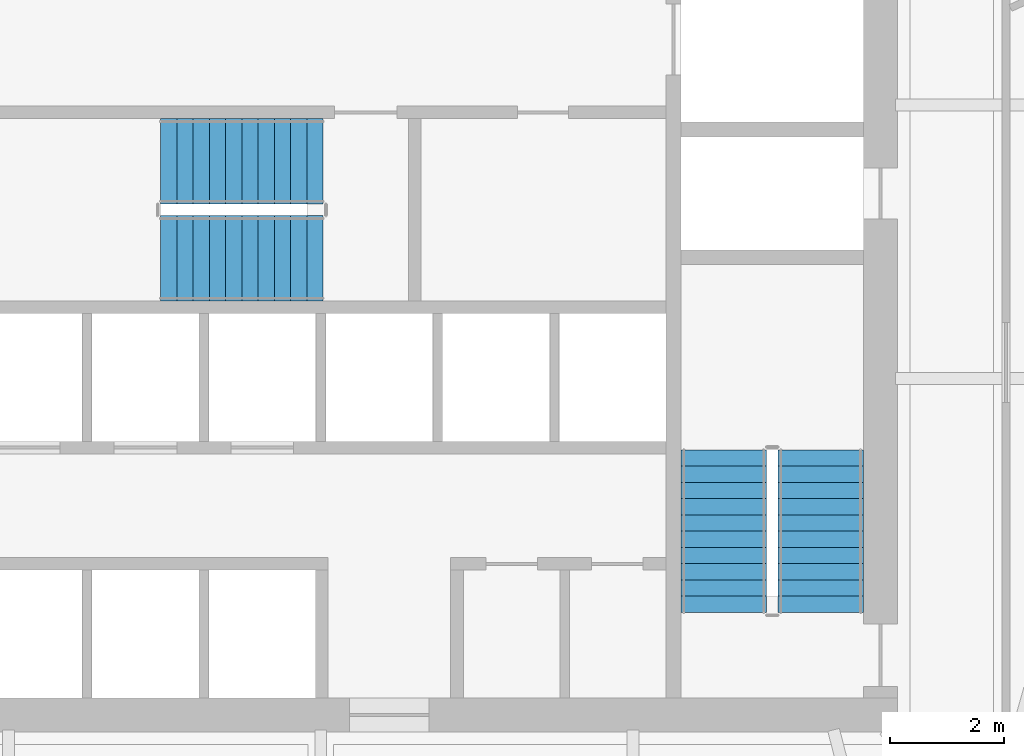
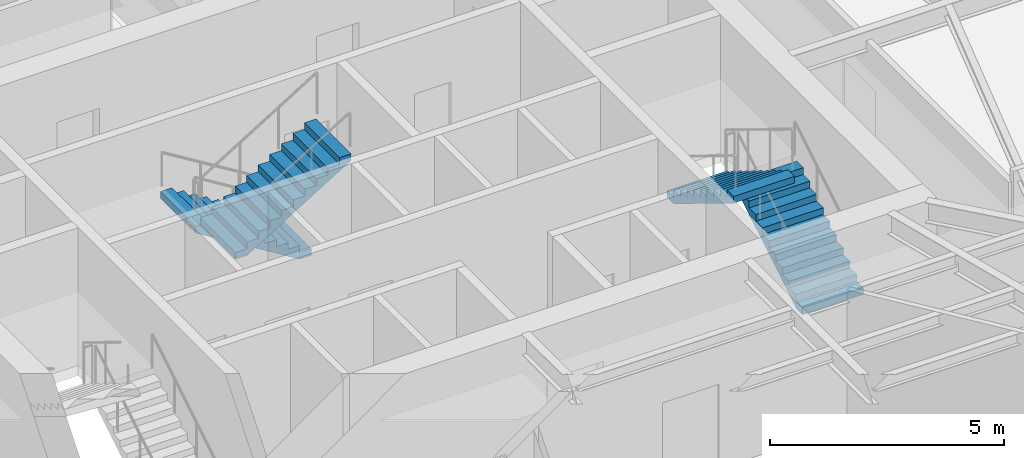
# One storey, part 9 of 12: 4 stair flights, 2 elements without a shape of their own.
"""IFC4 building model written with IfcOpenShell, lengths in metres."""

import ifcopenshell
import ifcopenshell.guid

model = None  # the IFC model being written
_history = None  # IfcOwnerHistory: only IFC2X3 demands one
_inside = {}  # id of a spatial element -> (the spatial element, [elements in it])
_under = {}  # id of a project, library or spatial element -> (it, [spatial elements below it])
_declared = {}  # id of a project -> (the project, [libraries it declares])
_typed = {}  # id of a type object -> (the type object, [elements of that type])
_made_of = {}  # id of a material, layer set ... -> (it, [elements and type objects made of it])


def new_model(schema):
    """Start an empty IFC model of exactly this schema.

    Asked for "IFC4X3", IfcOpenShell would pick the latest addendum, in which some entities
    have other attributes; the version numbers below select the first issue.
    IFC2X3 requires an IfcOwnerHistory on every rooted entity: one is made here for all.
    """
    global model, _history
    if schema == "IFC4X3":
        model = ifcopenshell.file(schema_version=(4, 3, 0, 0))
    else:
        model = ifcopenshell.file(schema=schema)
    _inside.clear()
    _under.clear()
    _declared.clear()
    _typed.clear()
    _made_of.clear()
    _history = None
    if model.schema == "IFC2X3":
        org = make("IfcOrganization", Name="unknown")
        user = make(
            "IfcPersonAndOrganization",
            ThePerson=make("IfcPerson", FamilyName="unknown"),
            TheOrganization=org,
        )
        app = make(
            "IfcApplication",
            ApplicationDeveloper=org,
            Version="unknown",
            ApplicationFullName="unknown",
            ApplicationIdentifier="unknown",
        )
        _history = make(
            "IfcOwnerHistory",
            OwningUser=user,
            OwningApplication=app,
            ChangeAction="ADDED",
            CreationDate=0,
        )
    return model


def make(cls, **values):
    """One entity of the class cls with the attributes given. An attribute that is None is left unset."""
    return model.create_entity(
        cls, **{name: value for name, value in values.items() if value is not None}
    )


def rooted(cls, **values):
    """An entity with a GlobalId (a new one), such as an element, a storey or a relation."""
    return make(cls, GlobalId=ifcopenshell.guid.new(), OwnerHistory=_history, **values)


def si_unit(unit_type, name, prefix=None):
    """IfcSIUnit, for example si_unit("LENGTHUNIT", "METRE", prefix="MILLI")."""
    return make("IfcSIUnit", UnitType=unit_type, Prefix=prefix, Name=name)


def assignment(units):
    """IfcUnitAssignment: the units of a project."""
    return None if units is None else make("IfcUnitAssignment", Units=units)


def point(xyz):
    """IfcCartesianPoint."""
    return None if xyz is None else make("IfcCartesianPoint", Coordinates=xyz)


def direction(xyz):
    """IfcDirection."""
    return None if xyz is None else make("IfcDirection", DirectionRatios=xyz)


def frame(location, z_axis=None, x_axis=None):
    """IfcAxis2Placement3D, a coordinate frame: its origin and axes. An axis left out is left unset."""
    return make(
        "IfcAxis2Placement3D",
        Location=point(location),
        Axis=direction(z_axis),
        RefDirection=direction(x_axis),
    )


def origin():
    """The frame at (0, 0, 0) with its axes left unset."""
    return frame((0.0, 0.0, 0.0))


def place(relative_to, where):
    """IfcLocalPlacement: puts the frame where relative to a parent placement (None: the world)."""
    return make(
        "IfcLocalPlacement", PlacementRelTo=relative_to, RelativePlacement=where
    )


def context(
    kind, dimensions, precision=None, world=None, true_north=None, identifier=None
):
    """IfcGeometricRepresentationContext, for example the 3D "Model" context."""
    return make(
        "IfcGeometricRepresentationContext",
        ContextIdentifier=identifier,
        ContextType=kind,
        CoordinateSpaceDimension=dimensions,
        Precision=precision,
        WorldCoordinateSystem=world,
        TrueNorth=true_north,
    )


def subcontext(parent, identifier, kind, view, scale=None):
    """IfcGeometricRepresentationSubContext, for example "Body" below "Model"."""
    return make(
        "IfcGeometricRepresentationSubContext",
        ContextIdentifier=identifier,
        ContextType=kind,
        ParentContext=parent,
        TargetScale=scale,
        TargetView=view,
    )


def project(units=None, contexts=None):
    """IfcProject with its units and contexts."""
    return rooted(
        "IfcProject",
        Name="project",
        RepresentationContexts=contexts,
        UnitsInContext=assignment(units),
    )


def spatial(cls, under=None, at=None, **own):
    """A site, building, storey or space (cls), placed at a placement, below another one or the project."""
    s = rooted(cls, ObjectPlacement=at, **own)
    if under is not None:
        _under.setdefault(under.id(), (under, []))[1].append(s)
    return s


def polyline(points):
    """IfcPolyline through the points."""
    return make("IfcPolyline", Points=[point(p) for p in points])


def outline(outer, holes=None, kind="AREA"):
    """IfcArbitraryClosedProfileDef: a profile drawn as a closed curve; with holes, ...WithVoids."""
    if holes is None:
        return make("IfcArbitraryClosedProfileDef", ProfileType=kind, OuterCurve=outer)
    return make(
        "IfcArbitraryProfileDefWithVoids",
        ProfileType=kind,
        OuterCurve=outer,
        InnerCurves=holes,
    )


def extrude(swept, where, along, depth):
    """IfcExtrudedAreaSolid: the profile swept, set in the frame where, extruded along a direction by depth."""
    return make(
        "IfcExtrudedAreaSolid",
        SweptArea=swept,
        Position=where,
        ExtrudedDirection=direction(along),
        Depth=depth,
    )


def shape(context_of_items, identifier, shape_type, items):
    """IfcShapeRepresentation: the items that make up one representation, for example the "Body"."""
    return make(
        "IfcShapeRepresentation",
        ContextOfItems=context_of_items,
        RepresentationIdentifier=identifier,
        RepresentationType=shape_type,
        Items=items,
    )


def material(Name=None, Category=None):
    """IfcMaterial."""
    return make("IfcMaterial", Name=Name, Category=Category)


def made_of(thing, what):
    """Note that an element or type object is made of a material, layer set ...; save() writes the relation."""
    if what is not None:
        _made_of.setdefault(what.id(), (what, []))[1].append(thing)
    return thing


def type_object(cls, material=None, **own):
    """A type object (cls), such as IfcWallType, which elements share."""
    return made_of(rooted(cls, **own), material)


def element(
    cls,
    number,
    at=None,
    inside=None,
    cuts=None,
    type_object=None,
    material=None,
    context=None,
    identifier="Body",
    shape_type=None,
    held_by="IfcProductDefinitionShape",
    body=None,
    shapes=None,
    **own,
):
    """One element of the class cls, such as IfcWall. Its Tag is "e" and its number.

    at: its placement. inside: the storey or other place that contains it. cuts: it is an
    opening in that element (IfcRelVoidsElement). A single representation is given by context,
    identifier, shape_type and body (its items); several are given by shapes. held_by: the class
    of the entity that holds the representations. save() writes the other relations.
    """
    e = rooted(cls, Tag="e%d" % number, ObjectPlacement=at, **own)
    if body is not None:
        shapes = [shape(context, identifier, shape_type, body)]
    if shapes is not None:
        e.Representation = make(held_by, Representations=shapes)
    if inside is not None:
        _inside.setdefault(inside.id(), (inside, []))[1].append(e)
    if cuts is not None:
        rooted(
            "IfcRelVoidsElement", RelatingBuildingElement=cuts, RelatedOpeningElement=e
        )
    if type_object is not None:
        _typed.setdefault(type_object.id(), (type_object, []))[1].append(e)
    return made_of(e, material)


def aggregate(whole, parts):
    """IfcRelAggregates: a whole, such as a stair, and the parts it consists of."""
    return rooted("IfcRelAggregates", RelatingObject=whole, RelatedObjects=parts)


def save(model, path):
    """Write the relations noted so far, then the file.

    IfcRelAggregates (storeys below a building ...), IfcRelContainedInSpatialStructure (elements
    in a storey), IfcRelDefinesByType, IfcRelAssociatesMaterial and IfcRelDeclares: one each for
    every whole, place, type object, material and project.
    """
    for whole, parts in _under.values():
        aggregate(whole, parts)
    for where, things in _inside.values():
        rooted(
            "IfcRelContainedInSpatialStructure",
            RelatedElements=things,
            RelatingStructure=where,
        )
    for kind, things in _typed.values():
        rooted("IfcRelDefinesByType", RelatedObjects=things, RelatingType=kind)
    for what, things in _made_of.values():
        rooted("IfcRelAssociatesMaterial", RelatedObjects=things, RelatingMaterial=what)
    for by, libraries in _declared.values():
        rooted("IfcRelDeclares", RelatingContext=by, RelatedDefinitions=libraries)
    model.write(path)


model = new_model("IFC4")

# Units and contexts
model_context = context("Model", 3, precision=1e-05, world=origin(), true_north=direction((0.0, 1.0)))
body_context = subcontext(model_context, "Body", "Model", "MODEL_VIEW")
ifc_project = project(units=[si_unit("LENGTHUNIT", "METRE"), si_unit("AREAUNIT", "SQUARE_METRE"), si_unit("VOLUMEUNIT", "CUBIC_METRE"), si_unit("PLANEANGLEUNIT", "RADIAN"), si_unit("MASSUNIT", "GRAM", prefix="KILO")], contexts=[model_context])

# Site, building, storey
site_placement = place(None, origin())
site = spatial("IfcSite", under=ifc_project, at=site_placement, CompositionType="ELEMENT")
building_placement = place(site_placement, origin())
building = spatial("IfcBuilding", under=site, at=building_placement, Name="Kavelnor Concourse Tower", CompositionType="ELEMENT")
storey_placement = place(building_placement, frame((0.0, 0.0, 21.39990234375)))
storey = spatial("IfcBuildingStorey", under=building, at=storey_placement, Name="L05", CompositionType="ELEMENT", Elevation=21.39990234375)

# Stair, stair flights
ifc_material = material(Name="Concrete C40/50", Category="concrete")
stair_type = type_object("IfcStairType", Name="STR-CORE-1500", PredefinedType="HALF_TURN_STAIR", material=ifc_material)
stair_1_placement = place(storey_placement, origin())
stair_1 = element("IfcStair", 1, at=stair_1_placement, inside=storey, type_object=stair_type, Name="L05 ST2", PredefinedType="HALF_TURN_STAIR")
stair_flight_type = type_object("IfcStairFlightType", Name="STR-FLIGHT-1500", PredefinedType="STRAIGHT", material=ifc_material)
stair_flight_1_placement = place(storey_placement, frame((46.77001953125, 11.10009765625, 0.0), z_axis=(0.0, 0.0, 1.0), x_axis=(0.0, 1.0, 0.0)))
stair_flight_1 = element("IfcStairFlight", 2, at=stair_flight_1_placement, type_object=stair_flight_type, Name="ST2 flight 1", NumberOfRisers=11, NumberOfTreads=10, PredefinedType="STRAIGHT", RiserHeight=0.175, TreadLength=0.285, context=body_context, shape_type="SweptSolid", body=[
    extrude(outline(polyline([(0.0, 0.0), (0.0, 0.175048828125), (0.284912109375, 0.175048828125), (0.284912109375, 0.35009765625), (0.570068359375, 0.35009765625), (0.570068359375, 0.52490234375), (0.85498046875, 0.52490234375), (0.85498046875, 0.699951171875), (1.139892578125, 0.699951171875), (1.139892578125, 0.875), (1.425048828125, 0.875), (1.425048828125, 1.050048828125), (1.7099609375, 1.050048828125), (1.7099609375, 1.22509765625), (1.9951171875, 1.22509765625), (1.9951171875, 1.39990234375), (2.280029296875, 1.39990234375), (2.280029296875, 1.574951171875), (2.56494140625, 1.574951171875), (2.56494140625, 1.75), (2.85009765625, 1.75), (2.85009765625, 1.925048828125), (2.85009765625, 1.573974609375), (0.286376953125, 0.0), (0.0, 0.0)])), frame((0.0, 0.75, 0.0), z_axis=(0.0, -1.0, 0.0), x_axis=(1.0, 0.0, 0.0)), (0.0, 0.0, 1.0), 1.5),
])
stair_flight_2_placement = place(storey_placement, frame((45.070068359375, 13.949951171875, 1.925048828125), z_axis=(0.0, 0.0, 1.0), x_axis=(0.0, -1.0, 0.0)))
stair_flight_2 = element("IfcStairFlight", 3, at=stair_flight_2_placement, type_object=stair_flight_type, Name="ST2 flight 2", NumberOfRisers=11, NumberOfTreads=10, PredefinedType="STRAIGHT", RiserHeight=0.175, TreadLength=0.285, context=body_context, shape_type="SweptSolid", body=[
    extrude(outline(polyline([(0.0, 0.0), (0.0, 0.175048828125), (0.284912109375, 0.175048828125), (0.284912109375, 0.35009765625), (0.570068359375, 0.35009765625), (0.570068359375, 0.52490234375), (0.85498046875, 0.52490234375), (0.85498046875, 0.699951171875), (1.139892578125, 0.699951171875), (1.139892578125, 0.875), (1.425048828125, 0.875), (1.425048828125, 1.050048828125), (1.7099609375, 1.050048828125), (1.7099609375, 1.22509765625), (1.9951171875, 1.22509765625), (1.9951171875, 1.39990234375), (2.280029296875, 1.39990234375), (2.280029296875, 1.574951171875), (2.56494140625, 1.574951171875), (2.56494140625, 1.75), (2.85009765625, 1.75), (2.85009765625, 1.925048828125), (2.85009765625, 1.573974609375), (0.286376953125, 0.0), (0.0, 0.0)])), frame((0.0, 0.75, 0.0), z_axis=(0.0, -1.0, 0.0), x_axis=(1.0, 0.0, 0.0)), (0.0, 0.0, 1.0), 1.5),
])
aggregate(stair_1, [stair_flight_1, stair_flight_2])

stair_2_placement = place(storey_placement, origin())
stair_2 = element("IfcStair", 4, at=stair_2_placement, inside=storey, type_object=stair_type, Name="L05 ST3", PredefinedType="HALF_TURN_STAIR")
stair_flight_3_placement = place(storey_placement, frame((38.0400390625, 19.010009765625, 0.0), z_axis=(0.0, 0.0, 1.0), x_axis=(-1.0, 0.0, 0.0)))
stair_flight_3 = element("IfcStairFlight", 5, at=stair_flight_3_placement, type_object=stair_flight_type, Name="ST3 flight 1", NumberOfRisers=11, NumberOfTreads=10, PredefinedType="STRAIGHT", RiserHeight=0.175, TreadLength=0.285, context=body_context, shape_type="SweptSolid", body=[
    extrude(outline(polyline([(0.0, 0.0), (0.0, 0.175048828125), (0.284912109375, 0.175048828125), (0.284912109375, 0.35009765625), (0.570068359375, 0.35009765625), (0.570068359375, 0.52490234375), (0.85498046875, 0.52490234375), (0.85498046875, 0.699951171875), (1.139892578125, 0.699951171875), (1.139892578125, 0.875), (1.425048828125, 0.875), (1.425048828125, 1.050048828125), (1.7099609375, 1.050048828125), (1.7099609375, 1.22509765625), (1.9951171875, 1.22509765625), (1.9951171875, 1.39990234375), (2.280029296875, 1.39990234375), (2.280029296875, 1.574951171875), (2.56494140625, 1.574951171875), (2.56494140625, 1.75), (2.85009765625, 1.75), (2.85009765625, 1.925048828125), (2.85009765625, 1.573974609375), (0.286376953125, 0.0), (0.0, 0.0)])), frame((0.0, 0.75, 0.0), z_axis=(0.0, -1.0, 0.0), x_axis=(1.0, 0.0, 0.0)), (0.0, 0.0, 1.0), 1.5),
])
stair_flight_4_placement = place(storey_placement, frame((35.18994140625, 17.31005859375, 1.925048828125), z_axis=(0.0, 0.0, 1.0), x_axis=(1.0, 0.0, 0.0)))
stair_flight_4 = element("IfcStairFlight", 6, at=stair_flight_4_placement, type_object=stair_flight_type, Name="ST3 flight 2", NumberOfRisers=11, NumberOfTreads=10, PredefinedType="STRAIGHT", RiserHeight=0.175, TreadLength=0.285, context=body_context, shape_type="SweptSolid", body=[
    extrude(outline(polyline([(0.0, 0.0), (0.0, 0.175048828125), (0.284912109375, 0.175048828125), (0.284912109375, 0.35009765625), (0.570068359375, 0.35009765625), (0.570068359375, 0.52490234375), (0.85498046875, 0.52490234375), (0.85498046875, 0.699951171875), (1.139892578125, 0.699951171875), (1.139892578125, 0.875), (1.425048828125, 0.875), (1.425048828125, 1.050048828125), (1.7099609375, 1.050048828125), (1.7099609375, 1.22509765625), (1.9951171875, 1.22509765625), (1.9951171875, 1.39990234375), (2.280029296875, 1.39990234375), (2.280029296875, 1.574951171875), (2.56494140625, 1.574951171875), (2.56494140625, 1.75), (2.85009765625, 1.75), (2.85009765625, 1.925048828125), (2.85009765625, 1.573974609375), (0.286376953125, 0.0), (0.0, 0.0)])), frame((0.0, 0.75, 0.0), z_axis=(0.0, -1.0, 0.0), x_axis=(1.0, 0.0, 0.0)), (0.0, 0.0, 1.0), 1.5),
])
aggregate(stair_2, [stair_flight_3, stair_flight_4])

save(model, "model.ifc")
